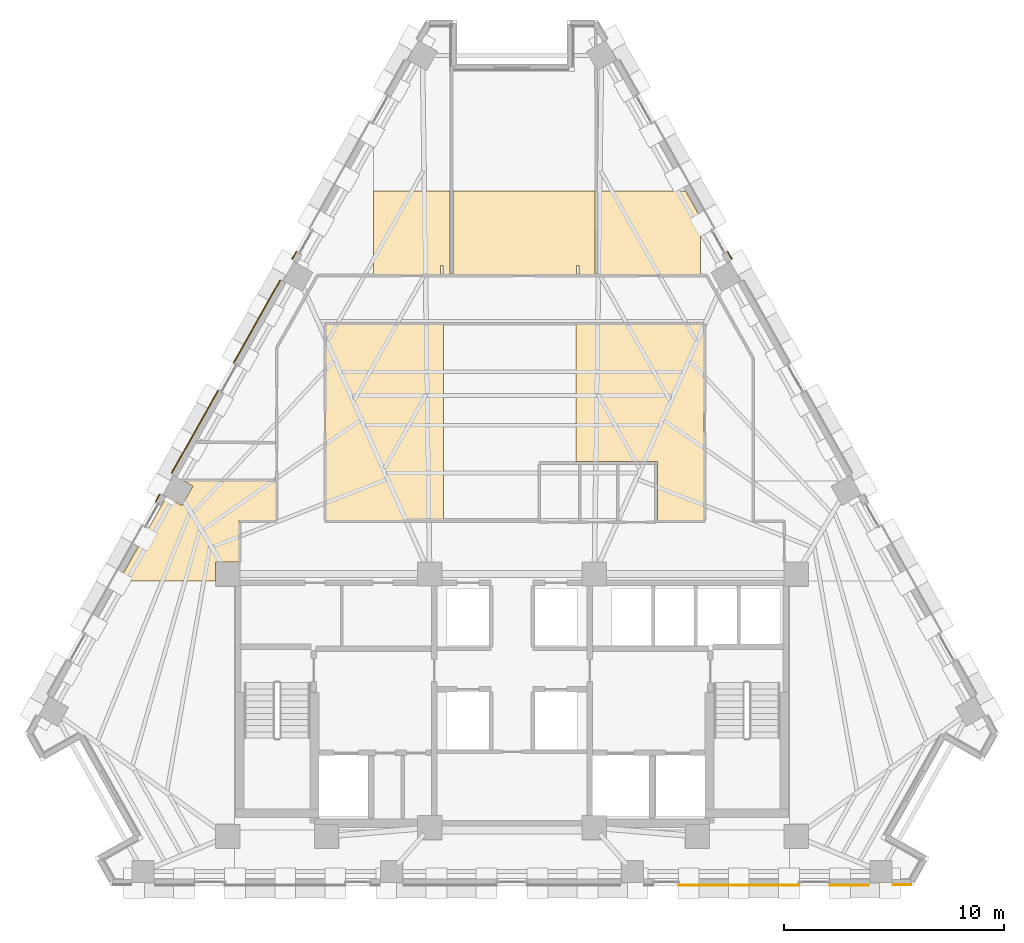
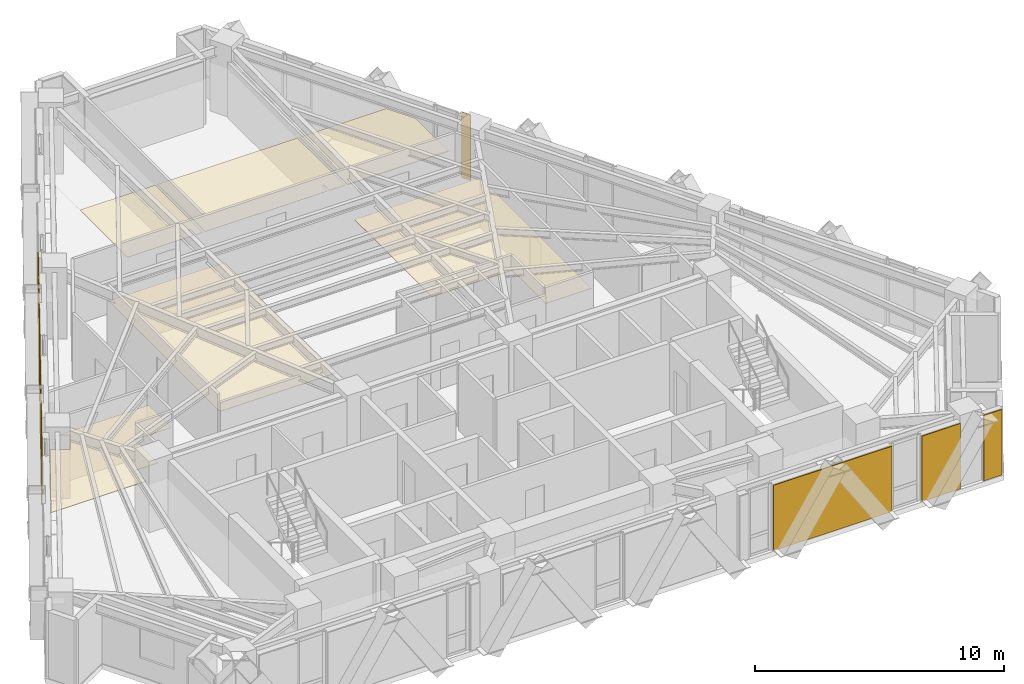
# One storey, part 11 of 13: 14 coverings.
"""IFC4 building model written with IfcOpenShell, lengths in metres."""

from ifc_helpers import new_model, si_unit, direction, frame, origin, place, context, subcontext, project, spatial, polyline, outline, extrude, material, layer, layer_set, type_object, element, save


model = new_model("IFC4")

# Units and contexts
model_context = context("Model", 3, precision=1e-05, world=origin(), true_north=direction((0.0, 1.0)))
body_context = subcontext(model_context, "Body", "Model", "MODEL_VIEW")
ifc_project = project(units=[si_unit("LENGTHUNIT", "METRE"), si_unit("AREAUNIT", "SQUARE_METRE"), si_unit("VOLUMEUNIT", "CUBIC_METRE"), si_unit("PLANEANGLEUNIT", "RADIAN"), si_unit("MASSUNIT", "GRAM", prefix="KILO")], contexts=[model_context])

# Site, building, storey
site_placement = place(None, origin())
site = spatial("IfcSite", under=ifc_project, at=site_placement, CompositionType="ELEMENT")
building_placement = place(site_placement, origin())
building = spatial("IfcBuilding", under=site, at=building_placement, Name="Quenlor Broadcast Tower", CompositionType="ELEMENT")
storey_placement = place(building_placement, frame((0.0, 0.0, 158.0)))
storey = spatial("IfcBuildingStorey", under=building, at=storey_placement, Name="L43", CompositionType="ELEMENT", Elevation=158.0)

# Coverings
ifc_material_1 = material(Name="Acoustic Mineral Fibre Board", Category="other")
ifc_layer_1 = layer(ifc_material_1, 0.02490234375)
ifc_layer_set_1 = layer_set([ifc_layer_1], Name="Acoustic Perforated Mineral Tile Ceiling 25")
covering_type_1 = type_object("IfcCoveringType", Name="Acoustic Perforated Mineral Tile Ceiling 25", PredefinedType="CEILING", material=ifc_layer_set_1)
covering_1_placement = place(storey_placement, frame((0.0, 0.0, 2.375)))
element("IfcCovering", 1, at=covering_1_placement, inside=storey, type_object=covering_type_1, Name="L43 Acoustic Ceiling L43-28", PredefinedType="CEILING", context=body_context, shape_type="SweptSolid", body=[
    extrude(outline(polyline([(-3.139892578125, 9.25), (-3.260009765625, 9.25), (-3.260009765625, 8.830078125), (-6.300048828125, 8.830078125), (-6.300048828125, 12.64990234375), (-2.81787109375, 12.64990234375), (-2.81787109375, 8.830078125), (-3.139892578125, 8.830078125), (-3.139892578125, 9.25)])), origin(), (0.0, 0.0, 1.0), 0.02490234375),
])
covering_2_placement = place(storey_placement, frame((0.0, 0.0, 2.375)))
element("IfcCovering", 2, at=covering_2_placement, inside=storey, type_object=covering_type_1, Name="L43 Acoustic Ceiling L43-29", PredefinedType="CEILING", context=body_context, shape_type="SweptSolid", body=[
    extrude(outline(polyline([(3.780029296875, 8.830078125), (3.06005859375, 8.830078125), (3.06005859375, 9.25), (2.93994140625, 9.25), (2.93994140625, 8.830078125), (-2.69775390625, 8.830078125), (-2.69775390625, 12.64990234375), (3.780029296875, 12.64990234375), (3.780029296875, 8.830078125)])), origin(), (0.0, 0.0, 1.0), 0.02490234375),
])
covering_3_placement = place(storey_placement, frame((0.0, 0.0, 2.375)))
element("IfcCovering", 3, at=covering_3_placement, inside=storey, type_object=covering_type_1, Name="L43 Acoustic Ceiling L43-32", PredefinedType="CEILING", context=body_context, shape_type="SweptSolid", body=[
    extrude(outline(polyline([(6.6201171875, -2.3701171875), (6.6201171875, 0.320068359375), (2.909912109375, 0.320068359375), (2.909912109375, 6.570068359375), (8.7548828125, 6.570068359375), (8.7548828125, -2.3701171875), (6.6201171875, -2.3701171875)])), origin(), (0.0, 0.0, 1.0), 0.02490234375),
])
covering_4_placement = place(storey_placement, frame((0.0, 0.0, 2.375)))
element("IfcCovering", 4, at=covering_4_placement, inside=storey, type_object=covering_type_1, Name="L43 Acoustic Ceiling L43-33", PredefinedType="CEILING", context=body_context, shape_type="SweptSolid", body=[
    extrude(outline(polyline([(-3.110107421875, 6.570068359375), (-3.110107421875, -2.3701171875), (-8.485107421875, -2.3701171875), (-8.485107421875, 6.570068359375), (-3.110107421875, 6.570068359375)])), origin(), (0.0, 0.0, 1.0), 0.02490234375),
])
covering_5_placement = place(storey_placement, frame((0.0, 0.0, 2.375)))
element("IfcCovering", 5, at=covering_5_placement, inside=storey, type_object=covering_type_1, Name="L43 Acoustic Ceiling L43-35", PredefinedType="CEILING", context=body_context, shape_type="SweptSolid", body=[
    extrude(outline(polyline([(-15.7431640625, -1.281494140625), (-15.0302734375, -1.6826171875), (-14.5322265625, -0.797119140625), (-14.952880859375, -0.560302734375), (-10.7451171875, -0.560302734375), (-10.7451171875, -2.3701171875), (-12.43994140625, -2.3701171875), (-12.43994140625, -4.241943359375), (-13.508056640625, -4.241943359375), (-13.508056640625, -5.1201171875), (-17.90234375, -5.1201171875), (-15.7431640625, -1.281494140625)])), origin(), (0.0, 0.0, 1.0), 0.02490234375),
])
ifc_material_2 = material(Name="Acoustic Gypsum Board", Category="other")
ifc_layer_2 = layer(ifc_material_2, 0.0400390625)
ifc_layer_set_2 = layer_set([ifc_layer_2], Name="Broadcast Studio Spring Isolated Ceiling 40")
covering_type_2 = type_object("IfcCoveringType", Name="Broadcast Studio Spring Isolated Ceiling 40", PredefinedType="CEILING", material=ifc_layer_set_2)
covering_6_placement = place(storey_placement, frame((0.0, 0.0, 2.360107421875)))
element("IfcCovering", 6, at=covering_6_placement, inside=storey, type_object=covering_type_2, Name="L43 Acoustic Ceiling L43-30", PredefinedType="CEILING", context=body_context, shape_type="SweptSolid", body=[
    extrude(outline(polyline([(3.89990234375, 12.64990234375), (7.90673828125, 12.64990234375), (8.580078125, 11.453125), (8.580078125, 8.830078125), (3.89990234375, 8.830078125), (3.89990234375, 12.64990234375)])), origin(), (0.0, 0.0, 1.0), 0.039794921875),
])
ifc_material_3 = material(Name="Architectural Terracotta Ceramic", Category="masonry")
ifc_layer_3 = layer(ifc_material_3, 0.044921875)
ifc_layer_set_3 = layer_set([ifc_layer_3], Name="Fluted Terracotta Rainscreen Cladding Panel")
covering_type_3 = type_object("IfcCoveringType", Name="Fluted Terracotta Rainscreen Cladding Panel", PredefinedType="CLADDING", material=ifc_layer_set_3)
covering_7_placement = place(storey_placement, frame((0.0, 0.0, 0.02001953125)))
element("IfcCovering", 7, at=covering_7_placement, inside=storey, type_object=covering_type_3, Name="L43 Terracotta Rainscreen Cladding L43-SHD-SS0", PredefinedType="CLADDING", context=body_context, shape_type="SweptSolid", body=[
    extrude(outline(polyline([(18.179931640625, -18.93701171875), (17.343505859375, -18.93701171875), (17.343505859375, -18.98193359375), (18.179931640625, -18.98193359375), (18.179931640625, -18.93701171875)])), origin(), (0.0, 0.0, 1.0), 3.2099609375),
])
covering_8_placement = place(storey_placement, frame((0.0, 0.0, 0.02001953125)))
element("IfcCovering", 8, at=covering_8_placement, inside=storey, type_object=covering_type_3, Name="L43 Terracotta Rainscreen Cladding L43-SA-SP1", PredefinedType="CLADDING", context=body_context, shape_type="SweptSolid", body=[
    extrude(outline(polyline([(16.25341796875, -18.95703125), (14.47509765625, -18.95703125), (14.47509765625, -19.001953125), (16.25341796875, -19.001953125), (16.25341796875, -18.95703125)])), origin(), (0.0, 0.0, 1.0), 3.2099609375),
])
covering_9_placement = place(storey_placement, frame((0.0, 0.0, 0.02001953125)))
element("IfcCovering", 9, at=covering_9_placement, inside=storey, type_object=covering_type_3, Name="L43 Terracotta Rainscreen Cladding L43-SA-SP2", PredefinedType="CLADDING", context=body_context, shape_type="SweptSolid", body=[
    extrude(outline(polyline([(13.076904296875, -18.95703125), (7.5869140625, -18.95703125), (7.5869140625, -19.001953125), (13.076904296875, -19.001953125), (13.076904296875, -18.95703125)])), origin(), (0.0, 0.0, 1.0), 3.2099609375),
])
covering_10_placement = place(storey_placement, frame((0.0, 0.0, 0.02001953125)))
element("IfcCovering", 10, at=covering_10_placement, inside=storey, type_object=covering_type_3, Name="L43 Terracotta Rainscreen Cladding L43-NEA-SP3", PredefinedType="CLADDING", context=body_context, shape_type="SweptSolid", body=[
    extrude(outline(polyline([(9.803955078125, 9.88330078125), (10.0, 9.53466796875), (10.039306640625, 9.556640625), (9.843017578125, 9.9052734375), (9.803955078125, 9.88330078125)])), origin(), (0.0, 0.0, 1.0), 3.2099609375),
])
covering_11_placement = place(storey_placement, frame((0.0, 0.0, 0.02001953125)))
element("IfcCovering", 11, at=covering_11_placement, inside=storey, type_object=covering_type_3, Name="L43 Terracotta Rainscreen Cladding L43-NWA-SP3", PredefinedType="CLADDING", context=body_context, shape_type="SweptSolid", body=[
    extrude(outline(polyline([(-16.22119140625, -1.525390625), (-16.025146484375, -1.1767578125), (-16.064453125, -1.15478515625), (-16.260498046875, -1.50341796875), (-16.22119140625, -1.525390625)])), origin(), (0.0, 0.0, 1.0), 3.2099609375),
])
covering_12_placement = place(storey_placement, frame((0.0, 0.0, 0.02001953125)))
element("IfcCovering", 12, at=covering_12_placement, inside=storey, type_object=covering_type_3, Name="L43 Terracotta Rainscreen Cladding L43-NWC-SP1", PredefinedType="CLADDING", context=body_context, shape_type="SweptSolid", body=[
    extrude(outline(polyline([(-10.0, 9.53466796875), (-9.803955078125, 9.88330078125), (-9.843017578125, 9.9052734375), (-10.039306640625, 9.556640625), (-10.0, 9.53466796875)])), origin(), (0.0, 0.0, 1.0), 3.2099609375),
])
covering_13_placement = place(storey_placement, frame((0.0, 0.0, 0.02001953125)))
element("IfcCovering", 13, at=covering_13_placement, inside=storey, type_object=covering_type_3, Name="L43 Terracotta Rainscreen Cladding L43-NW-SP1", PredefinedType="CLADDING", context=body_context, shape_type="SweptSolid", body=[
    extrude(outline(polyline([(-15.4833984375, -0.213623046875), (-13.367919921875, 3.547119140625), (-13.4072265625, 3.569091796875), (-15.522705078125, -0.191650390625), (-15.4833984375, -0.213623046875)])), origin(), (0.0, 0.0, 1.0), 3.2099609375),
])
covering_14_placement = place(storey_placement, frame((0.0, 0.0, 0.02001953125)))
element("IfcCovering", 14, at=covering_14_placement, inside=storey, type_object=covering_type_3, Name="L43 Terracotta Rainscreen Cladding L43-NW-SP2", PredefinedType="CLADDING", context=body_context, shape_type="SweptSolid", body=[
    extrude(outline(polyline([(-12.656982421875, 4.810791015625), (-10.541748046875, 8.571533203125), (-10.580810546875, 8.593505859375), (-12.6962890625, 4.832763671875), (-12.656982421875, 4.810791015625)])), origin(), (0.0, 0.0, 1.0), 3.2099609375),
])

save(model, "model.ifc")
